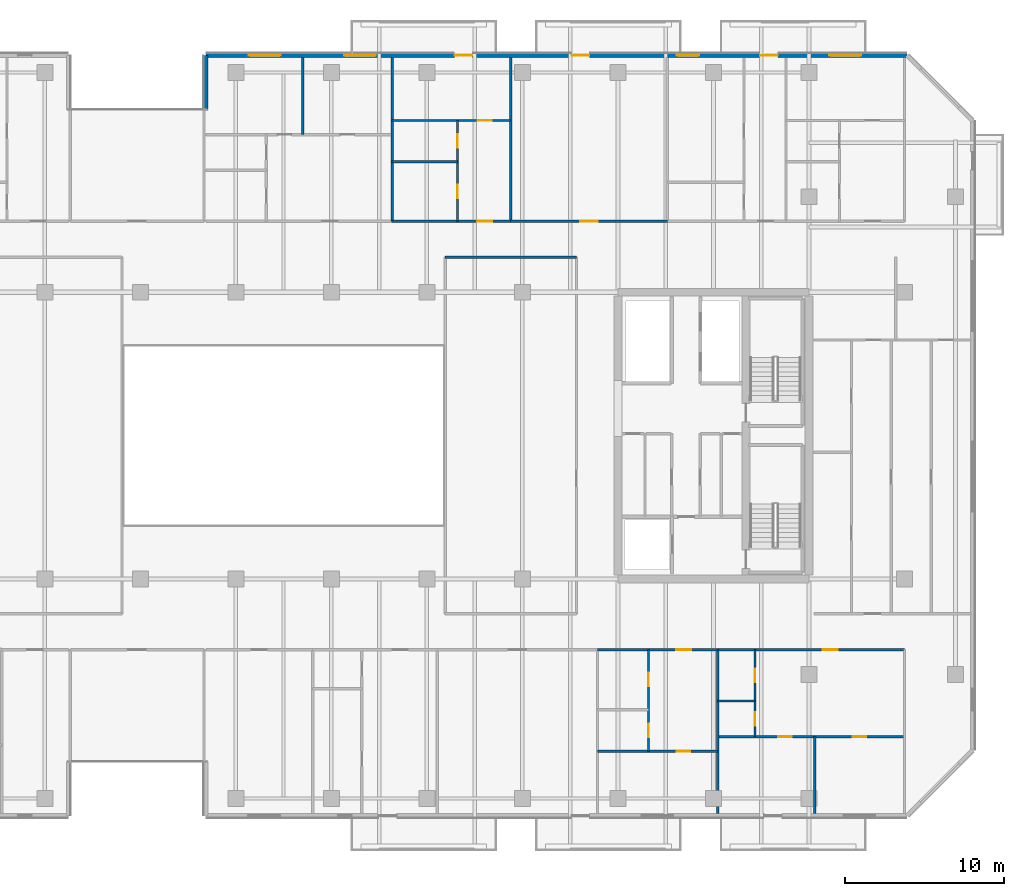
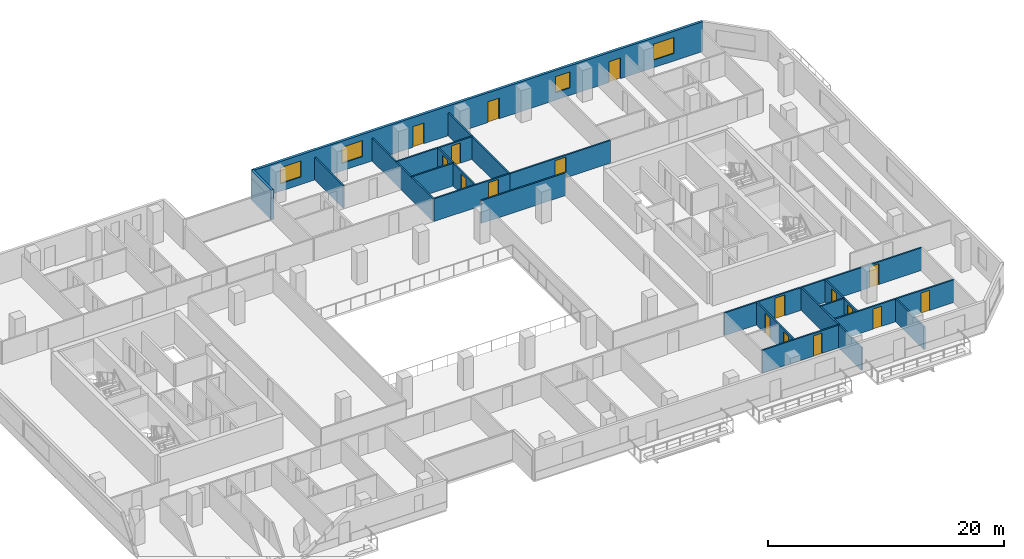
# One storey, part 14 of 23: 20 walls, 17 doors, 4 windows, 21 openings.
"""IFC4 building model written with IfcOpenShell, lengths in metres."""

from ifc_helpers import new_model, si_unit, direction, frame, frame_2d, origin, place, context, subcontext, project, spatial, rectangle, extrude, material, layer, layer_set, type_object, element, fill, save


model = new_model("IFC4")

# Units and contexts
model_context = context("Model", 3, precision=1e-05, world=origin(), true_north=direction((0.0, 1.0)))
body_context = subcontext(model_context, "Body", "Model", "MODEL_VIEW")
ifc_project = project(units=[si_unit("LENGTHUNIT", "METRE"), si_unit("AREAUNIT", "SQUARE_METRE"), si_unit("VOLUMEUNIT", "CUBIC_METRE"), si_unit("PLANEANGLEUNIT", "RADIAN"), si_unit("MASSUNIT", "GRAM", prefix="KILO")], contexts=[model_context])

# Site, building, storey
site_placement = place(None, origin())
site = spatial("IfcSite", under=ifc_project, at=site_placement, CompositionType="ELEMENT")
building_placement = place(site_placement, origin())
building = spatial("IfcBuilding", under=site, at=building_placement, Name="Tanjung Sevakor Pilgrim Tower", CompositionType="ELEMENT")
storey_placement = place(building_placement, frame((0.0, 0.0, 88.77001953125)))
storey = spatial("IfcBuildingStorey", under=building, at=storey_placement, Name="L24", CompositionType="ELEMENT", Elevation=88.77001953125)

# Walls
ifc_material_1 = material(Name="Concrete C40/50", Category="concrete")
ifc_layer_1 = layer(ifc_material_1, 0.14990234375)
ifc_layer_set_1 = layer_set([ifc_layer_1], Name="WT-COMP-150")
wall_type_1 = type_object("IfcWallType", Name="WT-COMP-150", PredefinedType="SOLIDWALL", material=ifc_layer_set_1)
wall_1_placement = place(storey_placement, frame((67.14990234375, 44.800048828125, 0.0), z_axis=(0.0, 0.0, 1.0), x_axis=(1.0, 0.0, 0.0)))
element("IfcWall", 1, at=wall_1_placement, inside=storey, type_object=wall_type_1, Name="L24 Partition IW-L24-034", PredefinedType="SOLIDWALL", context=body_context, shape_type="SweptSolid", body=[
    extrude(rectangle(XDim=8.25, YDim=0.14990234375, at=frame_2d((4.125, 0.0))), origin(), (0.0, 0.0, 1.0), 2.35009765625),
])
wall_2_placement = place(storey_placement, frame((84.261474609375, 9.85009765625, 0.0), z_axis=(0.0, 0.0, 1.0), x_axis=(0.0, 1.0, 0.0)))
element("IfcWall", 2, at=wall_2_placement, inside=storey, type_object=wall_type_1, Name="L24 Partition IW-L24-073", PredefinedType="SOLIDWALL", context=body_context, shape_type="SweptSolid", body=[
    extrude(rectangle(XDim=10.2998046875, YDim=0.14990234375, at=frame_2d((5.14990234375, 0.0))), origin(), (0.0, 0.0, 1.0), 2.35009765625),
])

# Wall, opening, door
wall_3_placement = place(storey_placement, frame((76.715087890625, 20.14990234375, 0.0), z_axis=(0.0, 0.0, 1.0), x_axis=(1.0, 0.0, 0.0)))
wall_3 = element("IfcWall", 3, at=wall_3_placement, inside=storey, type_object=wall_type_1, Name="L24 Partition IW-L24-077", PredefinedType="SOLIDWALL", context=body_context, shape_type="SweptSolid", body=[
    extrude(rectangle(XDim=7.54638671875, YDim=0.14990234375, at=frame_2d((3.773193359375, 0.0))), origin(), (0.0, 0.0, 1.0), 2.35009765625),
])
opening_1_placement = place(wall_3_placement, frame((4.9404296875, 0.0, 0.0)))
opening_1 = element("IfcOpeningElement", 4, at=opening_1_placement, cuts=wall_3, Name="Opening ID-FD2", PredefinedType="OPENING", context=body_context, shape_type="SweptSolid", body=[
    extrude(rectangle(XDim=0.949951171875, YDim=2.14990234375, at=frame_2d((0.47509765625, 1.074951171875))), frame((0.0, 0.0849609375, 0.0), z_axis=(0.0, -1.0, 0.0), x_axis=(1.0, 0.0, 0.0)), (0.0, 0.0, 1.0), 0.169921875),
])
ifc_material_2 = material(Name="Fire-Rated Timber", Category="wood")
door_type_1 = type_object("IfcDoorType", Name="DT-FIRE-950", OperationType="NOTDEFINED", PredefinedType="DOOR", material=ifc_material_2)
door_1_placement = place(opening_1_placement, origin())
door_1 = element("IfcDoor", 5, at=door_1_placement, inside=storey, type_object=door_type_1, Name="Residence Entrance", OperationType="SINGLE_SWING_RIGHT", OverallHeight=2.14990234375, OverallWidth=0.949951171875, PredefinedType="DOOR", context=body_context, shape_type="SweptSolid", body=[
    extrude(rectangle(XDim=0.949951171875, YDim=2.14990234375, at=frame_2d((0.47509765625, 1.074951171875))), frame((0.0, 0.02490234375, 0.0), z_axis=(0.0, -1.0, 0.0), x_axis=(1.0, 0.0, 0.0)), (0.0, 0.0, 1.0), 0.050048828125),
])
fill(opening_1, door_1)

wall_4_placement = place(storey_placement, frame((84.261474609375, 20.14990234375, 0.0), z_axis=(0.0, 0.0, 1.0), x_axis=(1.0, 0.0, 0.0)))
wall_4 = element("IfcWall", 6, at=wall_4_placement, inside=storey, type_object=wall_type_1, Name="L24 Partition IW-L24-082", PredefinedType="SOLIDWALL", context=body_context, shape_type="SweptSolid", body=[
    extrude(rectangle(XDim=11.738525390625, YDim=0.14990234375, at=frame_2d((5.869140625, 0.0))), origin(), (0.0, 0.0, 1.0), 2.35009765625),
])
opening_2_placement = place(wall_4_placement, frame((6.609375, 0.0, 0.0)))
opening_2 = element("IfcOpeningElement", 7, at=opening_2_placement, cuts=wall_4, Name="Opening ID-FD2", PredefinedType="OPENING", context=body_context, shape_type="SweptSolid", body=[
    extrude(rectangle(XDim=0.949951171875, YDim=2.14990234375, at=frame_2d((0.47509765625, 1.074951171875))), frame((0.0, 0.0849609375, 0.0), z_axis=(0.0, -1.0, 0.0), x_axis=(1.0, 0.0, 0.0)), (0.0, 0.0, 1.0), 0.169921875),
])
door_2_placement = place(opening_2_placement, origin())
door_2 = element("IfcDoor", 8, at=door_2_placement, inside=storey, type_object=door_type_1, Name="Suite Entrance", OperationType="SINGLE_SWING_LEFT", OverallHeight=2.14990234375, OverallWidth=0.949951171875, PredefinedType="DOOR", context=body_context, shape_type="SweptSolid", body=[
    extrude(rectangle(XDim=0.949951171875, YDim=2.14990234375, at=frame_2d((0.47509765625, 1.074951171875))), frame((0.0, 0.02490234375, 0.0), z_axis=(0.0, -1.0, 0.0), x_axis=(1.0, 0.0, 0.0)), (0.0, 0.0, 1.0), 0.050048828125),
])
fill(opening_2, door_2)

# Walls
for number, where, z_axis, x_axis, name in (
    (9, (63.8212890625, 47.050048828125, 0.0), (0.0, 0.0, 1.0), (0.0, 1.0, 0.0), "L24 Partition IW-L24-095"),
    (10, (71.267578125, 47.050048828125, 0.0), (0.0, 0.0, 1.0), (0.0, 1.0, 0.0), "L24 Partition IW-L24-101"),
):
    element("IfcWall", number, at=place(storey_placement, frame(where, z_axis=z_axis, x_axis=x_axis)), inside=storey, type_object=wall_type_1, Name=name, PredefinedType="SOLIDWALL", context=body_context, shape_type="SweptSolid", body=[
        extrude(rectangle(XDim=10.300048828125, YDim=0.14990234375, at=frame_2d((5.14990234375, 0.0))), origin(), (0.0, 0.0, 1.0), 2.35009765625),
    ])

# Wall, opening, door
wall_5_placement = place(storey_placement, frame((63.8212890625, 47.050048828125, 0.0), z_axis=(0.0, 0.0, 1.0), x_axis=(1.0, 0.0, 0.0)))
wall_5 = element("IfcWall", 11, at=wall_5_placement, inside=storey, type_object=wall_type_1, Name="L24 Partition IW-L24-105", PredefinedType="SOLIDWALL", context=body_context, shape_type="SweptSolid", body=[
    extrude(rectangle(XDim=7.4462890625, YDim=0.14990234375, at=frame_2d((3.72314453125, 0.0))), origin(), (0.0, 0.0, 1.0), 2.35009765625),
])
opening_3_placement = place(wall_5_placement, frame((5.33740234375, 0.0, 0.0)))
opening_3 = element("IfcOpeningElement", 12, at=opening_3_placement, cuts=wall_5, Name="Opening ID-FD2", PredefinedType="OPENING", context=body_context, shape_type="SweptSolid", body=[
    extrude(rectangle(XDim=0.949951171875, YDim=2.14990234375, at=frame_2d((0.47509765625, 1.074951171875))), frame((0.0, 0.0849609375, 0.0), z_axis=(0.0, -1.0, 0.0), x_axis=(1.0, 0.0, 0.0)), (0.0, 0.0, 1.0), 0.169921875),
])
door_3_placement = place(opening_3_placement, origin())
door_3 = element("IfcDoor", 13, at=door_3_placement, inside=storey, type_object=door_type_1, Name="Residence Entrance", OperationType="SINGLE_SWING_RIGHT", OverallHeight=2.14990234375, OverallWidth=0.949951171875, PredefinedType="DOOR", context=body_context, shape_type="SweptSolid", body=[
    extrude(rectangle(XDim=0.949951171875, YDim=2.14990234375, at=frame_2d((0.47509765625, 1.074951171875))), frame((0.0, 0.02490234375, 0.0), z_axis=(0.0, -1.0, 0.0), x_axis=(1.0, 0.0, 0.0)), (0.0, 0.0, 1.0), 0.050048828125),
])
fill(opening_3, door_3)

wall_6_placement = place(storey_placement, frame((71.267578125, 47.050048828125, 0.0), z_axis=(0.0, 0.0, 1.0), x_axis=(1.0, 0.0, 0.0)))
wall_6 = element("IfcWall", 14, at=wall_6_placement, inside=storey, type_object=wall_type_1, Name="L24 Partition IW-L24-107", PredefinedType="SOLIDWALL", context=body_context, shape_type="SweptSolid", body=[
    extrude(rectangle(XDim=9.83984375, YDim=0.14990234375, at=frame_2d((4.919921875, 0.0))), origin(), (0.0, 0.0, 1.0), 2.35009765625),
])
opening_4_placement = place(wall_6_placement, frame((4.369873046875, 0.0, 0.0)))
opening_4 = element("IfcOpeningElement", 15, at=opening_4_placement, cuts=wall_6, Name="Opening ID-FD0", PredefinedType="OPENING", context=body_context, shape_type="SweptSolid", body=[
    extrude(rectangle(XDim=1.10009765625, YDim=2.14990234375, at=frame_2d((0.550048828125, 1.074951171875))), frame((0.0, 0.0849609375, 0.0), z_axis=(0.0, -1.0, 0.0), x_axis=(1.0, 0.0, 0.0)), (0.0, 0.0, 1.0), 0.169921875),
])
ifc_material_3 = material(Name="Fire-Rated Steel S355J2", Category="steel")
door_type_2 = type_object("IfcDoorType", Name="DT-FIRE-1100", OperationType="NOTDEFINED", PredefinedType="DOOR", material=ifc_material_3)
door_4_placement = place(opening_4_placement, origin())
door_4 = element("IfcDoor", 16, at=door_4_placement, inside=storey, type_object=door_type_2, Name="Seminar Room Door", OperationType="SINGLE_SWING_LEFT", OverallHeight=2.14990234375, OverallWidth=1.10009765625, PredefinedType="DOOR", context=body_context, shape_type="SweptSolid", body=[
    extrude(rectangle(XDim=1.10009765625, YDim=2.14990234375, at=frame_2d((0.550048828125, 1.074951171875))), frame((0.0, 0.02490234375, 0.0), z_axis=(0.0, -1.0, 0.0), x_axis=(1.0, 0.0, 0.0)), (0.0, 0.0, 1.0), 0.050048828125),
])
fill(opening_4, door_4)

# Wall, openings, doors, windows
ifc_material_4 = material(Name="Precast concrete C45/55", Category="concrete")
ifc_layer_2 = layer(ifc_material_4, 0.25)
ifc_layer_set_2 = layer_set([ifc_layer_2], Name="WT-EW-STN3")
wall_type_2 = type_object("IfcWallType", Name="WT-EW-STN3", PredefinedType="SOLIDWALL", material=ifc_layer_set_2)
wall_7_placement = place(storey_placement, frame((96.148193359375, 57.47509765625, 0.0), z_axis=(0.0, 0.0, 1.0), x_axis=(-1.0, 0.0, 0.0)))
wall_7 = element("IfcWall", 17, at=wall_7_placement, inside=storey, type_object=wall_type_2, Name="L24 MAIN Exterior Wall 9", PredefinedType="SOLIDWALL", context=body_context, shape_type="SweptSolid", body=[
    extrude(rectangle(XDim=44.023193359375, YDim=0.25, at=frame_2d((22.01171875, 0.0))), origin(), (0.0, 0.0, 1.0), 3.080078125),
])
opening_5_placement = place(wall_7_placement, frame((27.298095703125, 0.0, 0.0)))
opening_5 = element("IfcOpeningElement", 18, at=opening_5_placement, cuts=wall_7, Name="Opening ED-BAL-1100", PredefinedType="OPENING", context=body_context, shape_type="SweptSolid", body=[
    extrude(rectangle(XDim=1.10009765625, YDim=2.14990234375, at=frame_2d((0.550048828125, 1.074951171875))), frame((0.0, 0.135009765625, 0.0), z_axis=(0.0, -1.0, 0.0), x_axis=(1.0, 0.0, 0.0)), (0.0, 0.0, 1.0), 0.27001953125),
])
opening_6_placement = place(wall_7_placement, frame((19.9482421875, 0.0, 0.0)))
opening_6 = element("IfcOpeningElement", 19, at=opening_6_placement, cuts=wall_7, Name="Opening ED-BAL-1100", PredefinedType="OPENING", context=body_context, shape_type="SweptSolid", body=[
    extrude(rectangle(XDim=1.10009765625, YDim=2.14990234375, at=frame_2d((0.550048828125, 1.074951171875))), frame((0.0, 0.135009765625, 0.0), z_axis=(0.0, -1.0, 0.0), x_axis=(1.0, 0.0, 0.0)), (0.0, 0.0, 1.0), 0.27001953125),
])
opening_7_placement = place(wall_7_placement, frame((8.09814453125, 0.0, 0.0)))
opening_7 = element("IfcOpeningElement", 20, at=opening_7_placement, cuts=wall_7, Name="Opening ED-BAL-1100", PredefinedType="OPENING", context=body_context, shape_type="SweptSolid", body=[
    extrude(rectangle(XDim=1.10009765625, YDim=2.14990234375, at=frame_2d((0.550048828125, 1.074951171875))), frame((0.0, 0.135009765625, 0.0), z_axis=(0.0, -1.0, 0.0), x_axis=(1.0, 0.0, 0.0)), (0.0, 0.0, 1.0), 0.27001953125),
])
opening_8_placement = place(wall_7_placement, frame((39.3359375, 0.0, 0.780029296875)))
opening_8 = element("IfcOpeningElement", 21, at=opening_8_placement, cuts=wall_7, Name="Opening WN-Z2-1660", PredefinedType="OPENING", context=body_context, shape_type="SweptSolid", body=[
    extrude(rectangle(XDim=2.0, YDim=1.659912109375, at=frame_2d((1.0, 0.830078125))), frame((0.0, 0.135009765625, 0.0), z_axis=(0.0, -1.0, 0.0), x_axis=(1.0, 0.0, 0.0)), (0.0, 0.0, 1.0), 0.27001953125),
])
opening_9_placement = place(wall_7_placement, frame((33.34521484375, 0.0, 0.780029296875)))
opening_9 = element("IfcOpeningElement", 22, at=opening_9_placement, cuts=wall_7, Name="Opening WN-Z2-1660", PredefinedType="OPENING", context=body_context, shape_type="SweptSolid", body=[
    extrude(rectangle(XDim=2.0, YDim=1.659912109375, at=frame_2d((1.0, 0.830078125))), frame((0.0, 0.135009765625, 0.0), z_axis=(0.0, -1.0, 0.0), x_axis=(1.0, 0.0, 0.0)), (0.0, 0.0, 1.0), 0.27001953125),
])
opening_10_placement = place(wall_7_placement, frame((13.04443359375, 0.0, 0.780029296875)))
opening_10 = element("IfcOpeningElement", 23, at=opening_10_placement, cuts=wall_7, Name="Opening WN-END", PredefinedType="OPENING", context=body_context, shape_type="SweptSolid", body=[
    extrude(rectangle(XDim=1.39990234375, YDim=1.64990234375, at=frame_2d((0.699951171875, 0.824951171875))), frame((0.0, 0.135009765625, 0.0), z_axis=(0.0, -1.0, 0.0), x_axis=(1.0, 0.0, 0.0)), (0.0, 0.0, 1.0), 0.27001953125),
])
opening_11_placement = place(wall_7_placement, frame((2.871337890625, 0.0, 0.780029296875)))
opening_11 = element("IfcOpeningElement", 24, at=opening_11_placement, cuts=wall_7, Name="Opening WN-Z2-1660", PredefinedType="OPENING", context=body_context, shape_type="SweptSolid", body=[
    extrude(rectangle(XDim=2.0, YDim=1.659912109375, at=frame_2d((1.0, 0.830078125))), frame((0.0, 0.135009765625, 0.0), z_axis=(0.0, -1.0, 0.0), x_axis=(1.0, 0.0, 0.0)), (0.0, 0.0, 1.0), 0.27001953125),
])
ifc_material_5 = material(Name="Anodised Aluminium and Laminated Glass", Category="aluminium")
door_type_3 = type_object("IfcDoorType", Name="DTYP-ED-BAL-1100", OperationType="NOTDEFINED", PredefinedType="DOOR", material=ifc_material_5)
door_5_placement = place(opening_5_placement, frame((1.10009765625, 0.0, 0.0), z_axis=(0.0, 0.0, 1.0), x_axis=(-1.0, 0.0, 0.0)))
door_5 = element("IfcDoor", 25, at=door_5_placement, inside=storey, type_object=door_type_3, Name="L24 Balcony Door MAIN-N2", OperationType="SINGLE_SWING_LEFT", OverallHeight=2.14990234375, OverallWidth=1.10009765625, PredefinedType="DOOR", context=body_context, shape_type="SweptSolid", body=[
    extrude(rectangle(XDim=1.10009765625, YDim=2.14990234375, at=frame_2d((0.550048828125, 1.074951171875))), frame((0.0, 0.02490234375, 0.0), z_axis=(0.0, -1.0, 0.0), x_axis=(1.0, 0.0, 0.0)), (0.0, 0.0, 1.0), 0.050048828125),
])
fill(opening_5, door_5)
door_6_placement = place(opening_6_placement, frame((1.10009765625, 0.0, 0.0), z_axis=(0.0, 0.0, 1.0), x_axis=(-1.0, 0.0, 0.0)))
door_6 = element("IfcDoor", 26, at=door_6_placement, inside=storey, type_object=door_type_3, Name="L24 Balcony Door MAIN-N3", OperationType="SINGLE_SWING_RIGHT", OverallHeight=2.14990234375, OverallWidth=1.10009765625, PredefinedType="DOOR", context=body_context, shape_type="SweptSolid", body=[
    extrude(rectangle(XDim=1.10009765625, YDim=2.14990234375, at=frame_2d((0.550048828125, 1.074951171875))), frame((0.0, 0.02490234375, 0.0), z_axis=(0.0, -1.0, 0.0), x_axis=(1.0, 0.0, 0.0)), (0.0, 0.0, 1.0), 0.050048828125),
])
fill(opening_6, door_6)
door_7_placement = place(opening_7_placement, frame((1.10009765625, 0.0, 0.0), z_axis=(0.0, 0.0, 1.0), x_axis=(-1.0, 0.0, 0.0)))
door_7 = element("IfcDoor", 27, at=door_7_placement, inside=storey, type_object=door_type_3, Name="L24 Balcony Door MAIN-N4", OperationType="SINGLE_SWING_LEFT", OverallHeight=2.14990234375, OverallWidth=1.10009765625, PredefinedType="DOOR", context=body_context, shape_type="SweptSolid", body=[
    extrude(rectangle(XDim=1.10009765625, YDim=2.14990234375, at=frame_2d((0.550048828125, 1.074951171875))), frame((0.0, 0.02490234375, 0.0), z_axis=(0.0, -1.0, 0.0), x_axis=(1.0, 0.0, 0.0)), (0.0, 0.0, 1.0), 0.050048828125),
])
fill(opening_7, door_7)
ifc_material_6 = material(Name="Thermally Broken Aluminium and Low-E Glass", Category="aluminium")
window_type_1 = type_object("IfcWindowType", Name="WTYP-WN-END", PartitioningType="SINGLE_PANEL", PredefinedType="WINDOW", material=ifc_material_6)
window_1_placement = place(opening_10_placement, origin())
window_1 = element("IfcWindow", 28, at=window_1_placement, inside=storey, type_object=window_type_1, Name="L24 Facade Window 03", OverallHeight=1.64990234375, OverallWidth=1.39990234375, PartitioningType="SINGLE_PANEL", PredefinedType="WINDOW", context=body_context, shape_type="SweptSolid", body=[
    extrude(rectangle(XDim=1.39990234375, YDim=1.64990234375, at=frame_2d((0.699951171875, 0.824951171875))), frame((0.0, 0.030029296875, 0.0), z_axis=(0.0, -1.0, 0.0), x_axis=(1.0, 0.0, 0.0)), (0.0, 0.0, 1.0), 0.06005859375),
])
fill(opening_10, window_1)
ifc_material_7 = material(Name="Thermally Broken Aluminium and Low-E Glass", Category="aluminium")
window_type_2 = type_object("IfcWindowType", Name="WTYP-WN-Z2-1660", PartitioningType="DOUBLE_PANEL_VERTICAL", PredefinedType="WINDOW", material=ifc_material_7)
window_2_placement = place(opening_8_placement, origin())
window_2 = element("IfcWindow", 29, at=window_2_placement, inside=storey, type_object=window_type_2, Name="L24 Facade Window 01", OverallHeight=1.659912109375, OverallWidth=2.0, PartitioningType="SINGLE_PANEL", PredefinedType="WINDOW", context=body_context, shape_type="SweptSolid", body=[
    extrude(rectangle(XDim=2.0, YDim=1.659912109375, at=frame_2d((1.0, 0.830078125))), frame((0.0, 0.030029296875, 0.0), z_axis=(0.0, -1.0, 0.0), x_axis=(1.0, 0.0, 0.0)), (0.0, 0.0, 1.0), 0.06005859375),
])
fill(opening_8, window_2)
window_3_placement = place(opening_9_placement, origin())
window_3 = element("IfcWindow", 30, at=window_3_placement, inside=storey, type_object=window_type_2, Name="L24 Facade Window 02", OverallHeight=1.659912109375, OverallWidth=2.0, PartitioningType="SINGLE_PANEL", PredefinedType="WINDOW", context=body_context, shape_type="SweptSolid", body=[
    extrude(rectangle(XDim=2.0, YDim=1.659912109375, at=frame_2d((1.0, 0.830078125))), frame((0.0, 0.030029296875, 0.0), z_axis=(0.0, -1.0, 0.0), x_axis=(1.0, 0.0, 0.0)), (0.0, 0.0, 1.0), 0.06005859375),
])
fill(opening_9, window_3)
window_4_placement = place(opening_11_placement, origin())
window_4 = element("IfcWindow", 31, at=window_4_placement, inside=storey, type_object=window_type_2, Name="L24 Facade Window 04", OverallHeight=1.659912109375, OverallWidth=2.0, PartitioningType="SINGLE_PANEL", PredefinedType="WINDOW", context=body_context, shape_type="SweptSolid", body=[
    extrude(rectangle(XDim=2.0, YDim=1.659912109375, at=frame_2d((1.0, 0.830078125))), frame((0.0, 0.030029296875, 0.0), z_axis=(0.0, -1.0, 0.0), x_axis=(1.0, 0.0, 0.0)), (0.0, 0.0, 1.0), 0.06005859375),
])
fill(opening_11, window_4)

# Wall
wall_8_placement = place(storey_placement, frame((52.125, 57.47509765625, 0.0), z_axis=(0.0, 0.0, 1.0), x_axis=(0.0, -1.0, 0.0)))
element("IfcWall", 32, at=wall_8_placement, inside=storey, type_object=wall_type_2, Name="L24 MAIN Exterior Wall 10", PredefinedType="SOLIDWALL", context=body_context, shape_type="SweptSolid", body=[
    extrude(rectangle(XDim=3.400146484375, YDim=0.25, at=frame_2d((1.7001953125, 0.0))), origin(), (0.0, 0.0, 1.0), 3.080078125),
])

# Wall, openings, doors
ifc_material_8 = material(Name="Gypsum Board Partition", Category="gypsum board")
ifc_layer_3 = layer(ifc_material_8, 0.14990234375)
ifc_layer_set_3 = layer_set([ifc_layer_3], Name="WT-PART-150")
wall_type_3 = type_object("IfcWallType", Name="WT-PART-150", PredefinedType="PARTITIONING", material=ifc_layer_set_3)
wall_9_placement = place(storey_placement, frame((79.919921875, 13.75927734375, 0.0), z_axis=(0.0, 0.0, 1.0), x_axis=(0.0, 1.0, 0.0)))
wall_9 = element("IfcWall", 33, at=wall_9_placement, inside=storey, type_object=wall_type_3, Name="L24 Partition IW-L24-075", PredefinedType="PARTITIONING", context=body_context, shape_type="SweptSolid", body=[
    extrude(rectangle(XDim=6.390625, YDim=0.14990234375, at=frame_2d((3.1953125, 0.0))), origin(), (0.0, 0.0, 1.0), 2.35009765625),
])
opening_12_placement = place(wall_9_placement, frame((0.885009765625, 0.0, 0.0)))
opening_12 = element("IfcOpeningElement", 34, at=opening_12_placement, cuts=wall_9, Name="Opening ID-WC1", PredefinedType="OPENING", context=body_context, shape_type="SweptSolid", body=[
    extrude(rectangle(XDim=0.85009765625, YDim=2.10009765625, at=frame_2d((0.425048828125, 1.050048828125))), frame((0.0, 0.0849609375, 0.0), z_axis=(0.0, -1.0, 0.0), x_axis=(1.0, 0.0, 0.0)), (0.0, 0.0, 1.0), 0.169921875),
])
opening_13_placement = place(wall_9_placement, frame((4.080322265625, 0.0, 0.0)))
opening_13 = element("IfcOpeningElement", 35, at=opening_13_placement, cuts=wall_9, Name="Opening ID-WC1", PredefinedType="OPENING", context=body_context, shape_type="SweptSolid", body=[
    extrude(rectangle(XDim=0.85009765625, YDim=2.10009765625, at=frame_2d((0.425048828125, 1.050048828125))), frame((0.0, 0.0849609375, 0.0), z_axis=(0.0, -1.0, 0.0), x_axis=(1.0, 0.0, 0.0)), (0.0, 0.0, 1.0), 0.169921875),
])
ifc_material_9 = material(Name="Moisture-Resistant Timber", Category="wood")
door_type_4 = type_object("IfcDoorType", Name="DT-INT-850", OperationType="NOTDEFINED", PredefinedType="DOOR", material=ifc_material_9)
door_8_placement = place(opening_12_placement, origin())
door_8 = element("IfcDoor", 36, at=door_8_placement, inside=storey, type_object=door_type_4, Name="Residence Bathroom Door", OperationType="SINGLE_SWING_LEFT", OverallHeight=2.10009765625, OverallWidth=0.85009765625, PredefinedType="DOOR", context=body_context, shape_type="SweptSolid", body=[
    extrude(rectangle(XDim=0.85009765625, YDim=2.10009765625, at=frame_2d((0.425048828125, 1.050048828125))), frame((0.0, 0.02490234375, 0.0), z_axis=(0.0, -1.0, 0.0), x_axis=(1.0, 0.0, 0.0)), (0.0, 0.0, 1.0), 0.050048828125),
])
fill(opening_12, door_8)
door_9_placement = place(opening_13_placement, origin())
door_9 = element("IfcDoor", 37, at=door_9_placement, inside=storey, type_object=door_type_4, Name="Residence Kitchenette Door", OperationType="SINGLE_SWING_RIGHT", OverallHeight=2.10009765625, OverallWidth=0.85009765625, PredefinedType="DOOR", context=body_context, shape_type="SweptSolid", body=[
    extrude(rectangle(XDim=0.85009765625, YDim=2.10009765625, at=frame_2d((0.425048828125, 1.050048828125))), frame((0.0, 0.02490234375, 0.0), z_axis=(0.0, -1.0, 0.0), x_axis=(1.0, 0.0, 0.0)), (0.0, 0.0, 1.0), 0.050048828125),
])
fill(opening_13, door_9)

# Wall, opening, door
wall_10_placement = place(storey_placement, frame((76.715087890625, 13.75927734375, 0.0), z_axis=(0.0, 0.0, 1.0), x_axis=(1.0, 0.0, 0.0)))
wall_10 = element("IfcWall", 38, at=wall_10_placement, inside=storey, type_object=wall_type_3, Name="L24 Partition IW-L24-076", PredefinedType="PARTITIONING", context=body_context, shape_type="SweptSolid", body=[
    extrude(rectangle(XDim=7.54638671875, YDim=0.14990234375, at=frame_2d((3.773193359375, 0.0))), origin(), (0.0, 0.0, 1.0), 2.35009765625),
])
opening_14_placement = place(wall_10_placement, frame((4.990478515625, 0.0, 0.0)))
opening_14 = element("IfcOpeningElement", 39, at=opening_14_placement, cuts=wall_10, Name="Opening ID-WC1", PredefinedType="OPENING", context=body_context, shape_type="SweptSolid", body=[
    extrude(rectangle(XDim=0.85009765625, YDim=2.10009765625, at=frame_2d((0.425048828125, 1.050048828125))), frame((0.0, 0.0849609375, 0.0), z_axis=(0.0, -1.0, 0.0), x_axis=(1.0, 0.0, 0.0)), (0.0, 0.0, 1.0), 0.169921875),
])
door_10_placement = place(opening_14_placement, origin())
door_10 = element("IfcDoor", 40, at=door_10_placement, inside=storey, type_object=door_type_4, Name="Residence Bedroom Door", OperationType="SINGLE_SWING_LEFT", OverallHeight=2.10009765625, OverallWidth=0.85009765625, PredefinedType="DOOR", context=body_context, shape_type="SweptSolid", body=[
    extrude(rectangle(XDim=0.85009765625, YDim=2.10009765625, at=frame_2d((0.425048828125, 1.050048828125))), frame((0.0, 0.02490234375, 0.0), z_axis=(0.0, -1.0, 0.0), x_axis=(1.0, 0.0, 0.0)), (0.0, 0.0, 1.0), 0.050048828125),
])
fill(opening_14, door_10)

# Wall
wall_11_placement = place(storey_placement, frame((84.261474609375, 16.92431640625, 0.0), z_axis=(0.0, 0.0, 1.0), x_axis=(1.0, 0.0, 0.0)))
element("IfcWall", 41, at=wall_11_placement, inside=storey, type_object=wall_type_3, Name="L24 Partition IW-L24-078", PredefinedType="PARTITIONING", context=body_context, shape_type="SweptSolid", body=[
    extrude(rectangle(XDim=2.349853515625, YDim=0.14990234375, at=frame_2d((1.1748046875, 0.0))), origin(), (0.0, 0.0, 1.0), 2.35009765625),
])

# Wall, openings, doors
wall_12_placement = place(storey_placement, frame((86.611328125, 14.682861328125, 0.0), z_axis=(0.0, 0.0, 1.0), x_axis=(0.0, 1.0, 0.0)))
wall_12 = element("IfcWall", 42, at=wall_12_placement, inside=storey, type_object=wall_type_3, Name="L24 Partition IW-L24-079", PredefinedType="PARTITIONING", context=body_context, shape_type="SweptSolid", body=[
    extrude(rectangle(XDim=5.467041015625, YDim=0.14990234375, at=frame_2d((2.7333984375, 0.0))), origin(), (0.0, 0.0, 1.0), 2.35009765625),
])
opening_15_placement = place(wall_12_placement, frame((0.69580078125, 0.0, 0.0)))
opening_15 = element("IfcOpeningElement", 43, at=opening_15_placement, cuts=wall_12, Name="Opening ID-WC1", PredefinedType="OPENING", context=body_context, shape_type="SweptSolid", body=[
    extrude(rectangle(XDim=0.85009765625, YDim=2.10009765625, at=frame_2d((0.425048828125, 1.050048828125))), frame((0.0, 0.0849609375, 0.0), z_axis=(0.0, -1.0, 0.0), x_axis=(1.0, 0.0, 0.0)), (0.0, 0.0, 1.0), 0.169921875),
])
opening_16_placement = place(wall_12_placement, frame((3.429443359375, 0.0, 0.0)))
opening_16 = element("IfcOpeningElement", 44, at=opening_16_placement, cuts=wall_12, Name="Opening ID-WC1", PredefinedType="OPENING", context=body_context, shape_type="SweptSolid", body=[
    extrude(rectangle(XDim=0.85009765625, YDim=2.10009765625, at=frame_2d((0.425048828125, 1.050048828125))), frame((0.0, 0.0849609375, 0.0), z_axis=(0.0, -1.0, 0.0), x_axis=(1.0, 0.0, 0.0)), (0.0, 0.0, 1.0), 0.169921875),
])
door_11_placement = place(opening_15_placement, origin())
door_11 = element("IfcDoor", 45, at=door_11_placement, inside=storey, type_object=door_type_4, Name="Suite Bathroom Door", OperationType="SINGLE_SWING_LEFT", OverallHeight=2.10009765625, OverallWidth=0.85009765625, PredefinedType="DOOR", context=body_context, shape_type="SweptSolid", body=[
    extrude(rectangle(XDim=0.85009765625, YDim=2.10009765625, at=frame_2d((0.425048828125, 1.050048828125))), frame((0.0, 0.02490234375, 0.0), z_axis=(0.0, -1.0, 0.0), x_axis=(1.0, 0.0, 0.0)), (0.0, 0.0, 1.0), 0.050048828125),
])
fill(opening_15, door_11)
door_12_placement = place(opening_16_placement, origin())
door_12 = element("IfcDoor", 46, at=door_12_placement, inside=storey, type_object=door_type_4, Name="Suite Kitchenette Door", OperationType="SINGLE_SWING_RIGHT", OverallHeight=2.10009765625, OverallWidth=0.85009765625, PredefinedType="DOOR", context=body_context, shape_type="SweptSolid", body=[
    extrude(rectangle(XDim=0.85009765625, YDim=2.10009765625, at=frame_2d((0.425048828125, 1.050048828125))), frame((0.0, 0.02490234375, 0.0), z_axis=(0.0, -1.0, 0.0), x_axis=(1.0, 0.0, 0.0)), (0.0, 0.0, 1.0), 0.050048828125),
])
fill(opening_16, door_12)

# Wall
wall_13_placement = place(storey_placement, frame((90.365478515625, 9.85009765625, 0.0), z_axis=(0.0, 0.0, 1.0), x_axis=(0.0, 1.0, 0.0)))
element("IfcWall", 47, at=wall_13_placement, inside=storey, type_object=wall_type_3, Name="L24 Partition IW-L24-080", PredefinedType="PARTITIONING", context=body_context, shape_type="SweptSolid", body=[
    extrude(rectangle(XDim=4.832763671875, YDim=0.14990234375, at=frame_2d((2.41650390625, 0.0))), origin(), (0.0, 0.0, 1.0), 2.35009765625),
])

# Wall, openings, doors
wall_14_placement = place(storey_placement, frame((84.261474609375, 14.682861328125, 0.0), z_axis=(0.0, 0.0, 1.0), x_axis=(1.0, 0.0, 0.0)))
wall_14 = element("IfcWall", 48, at=wall_14_placement, inside=storey, type_object=wall_type_3, Name="L24 Partition IW-L24-081", PredefinedType="PARTITIONING", context=body_context, shape_type="SweptSolid", body=[
    extrude(rectangle(XDim=11.738525390625, YDim=0.14990234375, at=frame_2d((5.869140625, 0.0))), origin(), (0.0, 0.0, 1.0), 2.35009765625),
])
opening_17_placement = place(wall_14_placement, frame((3.802001953125, 0.0, 0.0)))
opening_17 = element("IfcOpeningElement", 49, at=opening_17_placement, cuts=wall_14, Name="Opening ID-WC1", PredefinedType="OPENING", context=body_context, shape_type="SweptSolid", body=[
    extrude(rectangle(XDim=0.85009765625, YDim=2.10009765625, at=frame_2d((0.425048828125, 1.050048828125))), frame((0.0, 0.0849609375, 0.0), z_axis=(0.0, -1.0, 0.0), x_axis=(1.0, 0.0, 0.0)), (0.0, 0.0, 1.0), 0.169921875),
])
opening_18_placement = place(wall_14_placement, frame((8.496337890625, 0.0, 0.0)))
opening_18 = element("IfcOpeningElement", 50, at=opening_18_placement, cuts=wall_14, Name="Opening ID-WC1", PredefinedType="OPENING", context=body_context, shape_type="SweptSolid", body=[
    extrude(rectangle(XDim=0.85009765625, YDim=2.10009765625, at=frame_2d((0.425048828125, 1.050048828125))), frame((0.0, 0.0849609375, 0.0), z_axis=(0.0, -1.0, 0.0), x_axis=(1.0, 0.0, 0.0)), (0.0, 0.0, 1.0), 0.169921875),
])
door_13_placement = place(opening_17_placement, origin())
door_13 = element("IfcDoor", 51, at=door_13_placement, inside=storey, type_object=door_type_4, Name="Suite Bedroom 1 Door", OperationType="SINGLE_SWING_LEFT", OverallHeight=2.10009765625, OverallWidth=0.85009765625, PredefinedType="DOOR", context=body_context, shape_type="SweptSolid", body=[
    extrude(rectangle(XDim=0.85009765625, YDim=2.10009765625, at=frame_2d((0.425048828125, 1.050048828125))), frame((0.0, 0.02490234375, 0.0), z_axis=(0.0, -1.0, 0.0), x_axis=(1.0, 0.0, 0.0)), (0.0, 0.0, 1.0), 0.050048828125),
])
fill(opening_17, door_13)
door_14_placement = place(opening_18_placement, origin())
door_14 = element("IfcDoor", 52, at=door_14_placement, inside=storey, type_object=door_type_4, Name="Suite Bedroom 2 Door", OperationType="SINGLE_SWING_RIGHT", OverallHeight=2.10009765625, OverallWidth=0.85009765625, PredefinedType="DOOR", context=body_context, shape_type="SweptSolid", body=[
    extrude(rectangle(XDim=0.85009765625, YDim=2.10009765625, at=frame_2d((0.425048828125, 1.050048828125))), frame((0.0, 0.02490234375, 0.0), z_axis=(0.0, -1.0, 0.0), x_axis=(1.0, 0.0, 0.0)), (0.0, 0.0, 1.0), 0.050048828125),
])
fill(opening_18, door_14)

# Walls
wall_15_placement = place(storey_placement, frame((58.20458984375, 52.501708984375, 0.0), z_axis=(0.0, 0.0, 1.0), x_axis=(0.0, 1.0, 0.0)))
element("IfcWall", 53, at=wall_15_placement, inside=storey, type_object=wall_type_3, Name="L24 Partition IW-L24-098", PredefinedType="PARTITIONING", context=body_context, shape_type="SweptSolid", body=[
    extrude(rectangle(XDim=4.848388671875, YDim=0.14990234375, at=frame_2d((2.42431640625, 0.0))), origin(), (0.0, 0.0, 1.0), 2.35009765625),
])
wall_16_placement = place(storey_placement, frame((63.8212890625, 50.78955078125, 0.0), z_axis=(0.0, 0.0, 1.0), x_axis=(1.0, 0.0, 0.0)))
element("IfcWall", 54, at=wall_16_placement, inside=storey, type_object=wall_type_3, Name="L24 Partition IW-L24-102", PredefinedType="PARTITIONING", context=body_context, shape_type="SweptSolid", body=[
    extrude(rectangle(XDim=4.0986328125, YDim=0.14990234375, at=frame_2d((2.04931640625, 0.0))), origin(), (0.0, 0.0, 1.0), 2.35009765625),
])

# Wall, openings, doors
wall_17_placement = place(storey_placement, frame((67.919921875, 47.050048828125, 0.0), z_axis=(0.0, 0.0, 1.0), x_axis=(0.0, 1.0, 0.0)))
wall_17 = element("IfcWall", 55, at=wall_17_placement, inside=storey, type_object=wall_type_3, Name="L24 Partition IW-L24-103", PredefinedType="PARTITIONING", context=body_context, shape_type="SweptSolid", body=[
    extrude(rectangle(XDim=6.338134765625, YDim=0.14990234375, at=frame_2d((3.1689453125, 0.0))), origin(), (0.0, 0.0, 1.0), 2.35009765625),
])
opening_19_placement = place(wall_17_placement, frame((1.44482421875, 0.0, 0.0)))
opening_19 = element("IfcOpeningElement", 56, at=opening_19_placement, cuts=wall_17, Name="Opening ID-WC1", PredefinedType="OPENING", context=body_context, shape_type="SweptSolid", body=[
    extrude(rectangle(XDim=0.85009765625, YDim=2.10009765625, at=frame_2d((0.425048828125, 1.050048828125))), frame((0.0, 0.0849609375, 0.0), z_axis=(0.0, -1.0, 0.0), x_axis=(1.0, 0.0, 0.0)), (0.0, 0.0, 1.0), 0.169921875),
])
opening_20_placement = place(wall_17_placement, frame((4.614013671875, 0.0, 0.0)))
opening_20 = element("IfcOpeningElement", 57, at=opening_20_placement, cuts=wall_17, Name="Opening ID-WC1", PredefinedType="OPENING", context=body_context, shape_type="SweptSolid", body=[
    extrude(rectangle(XDim=0.85009765625, YDim=2.10009765625, at=frame_2d((0.425048828125, 1.050048828125))), frame((0.0, 0.0849609375, 0.0), z_axis=(0.0, -1.0, 0.0), x_axis=(1.0, 0.0, 0.0)), (0.0, 0.0, 1.0), 0.169921875),
])
door_15_placement = place(opening_19_placement, origin())
door_15 = element("IfcDoor", 58, at=door_15_placement, inside=storey, type_object=door_type_4, Name="Residence Kitchenette Door", OperationType="SINGLE_SWING_LEFT", OverallHeight=2.10009765625, OverallWidth=0.85009765625, PredefinedType="DOOR", context=body_context, shape_type="SweptSolid", body=[
    extrude(rectangle(XDim=0.85009765625, YDim=2.10009765625, at=frame_2d((0.425048828125, 1.050048828125))), frame((0.0, 0.02490234375, 0.0), z_axis=(0.0, -1.0, 0.0), x_axis=(1.0, 0.0, 0.0)), (0.0, 0.0, 1.0), 0.050048828125),
])
fill(opening_19, door_15)
door_16_placement = place(opening_20_placement, origin())
door_16 = element("IfcDoor", 59, at=door_16_placement, inside=storey, type_object=door_type_4, Name="Residence Bathroom Door", OperationType="SINGLE_SWING_RIGHT", OverallHeight=2.10009765625, OverallWidth=0.85009765625, PredefinedType="DOOR", context=body_context, shape_type="SweptSolid", body=[
    extrude(rectangle(XDim=0.85009765625, YDim=2.10009765625, at=frame_2d((0.425048828125, 1.050048828125))), frame((0.0, 0.02490234375, 0.0), z_axis=(0.0, -1.0, 0.0), x_axis=(1.0, 0.0, 0.0)), (0.0, 0.0, 1.0), 0.050048828125),
])
fill(opening_20, door_16)

# Wall, opening, door
wall_18_placement = place(storey_placement, frame((63.8212890625, 53.38818359375, 0.0), z_axis=(0.0, 0.0, 1.0), x_axis=(1.0, 0.0, 0.0)))
wall_18 = element("IfcWall", 60, at=wall_18_placement, inside=storey, type_object=wall_type_3, Name="L24 Partition IW-L24-104", PredefinedType="PARTITIONING", context=body_context, shape_type="SweptSolid", body=[
    extrude(rectangle(XDim=7.4462890625, YDim=0.14990234375, at=frame_2d((3.72314453125, 0.0))), origin(), (0.0, 0.0, 1.0), 2.35009765625),
])
opening_21_placement = place(wall_18_placement, frame((5.387451171875, 0.0, 0.0)))
opening_21 = element("IfcOpeningElement", 61, at=opening_21_placement, cuts=wall_18, Name="Opening ID-WC1", PredefinedType="OPENING", context=body_context, shape_type="SweptSolid", body=[
    extrude(rectangle(XDim=0.85009765625, YDim=2.10009765625, at=frame_2d((0.425048828125, 1.050048828125))), frame((0.0, 0.0849609375, 0.0), z_axis=(0.0, -1.0, 0.0), x_axis=(1.0, 0.0, 0.0)), (0.0, 0.0, 1.0), 0.169921875),
])
door_17_placement = place(opening_21_placement, origin())
door_17 = element("IfcDoor", 62, at=door_17_placement, inside=storey, type_object=door_type_4, Name="Residence Bedroom Door", OperationType="SINGLE_SWING_LEFT", OverallHeight=2.10009765625, OverallWidth=0.85009765625, PredefinedType="DOOR", context=body_context, shape_type="SweptSolid", body=[
    extrude(rectangle(XDim=0.85009765625, YDim=2.10009765625, at=frame_2d((0.425048828125, 1.050048828125))), frame((0.0, 0.02490234375, 0.0), z_axis=(0.0, -1.0, 0.0), x_axis=(1.0, 0.0, 0.0)), (0.0, 0.0, 1.0), 0.050048828125),
])
fill(opening_21, door_17)

save(model, "model.ifc")
